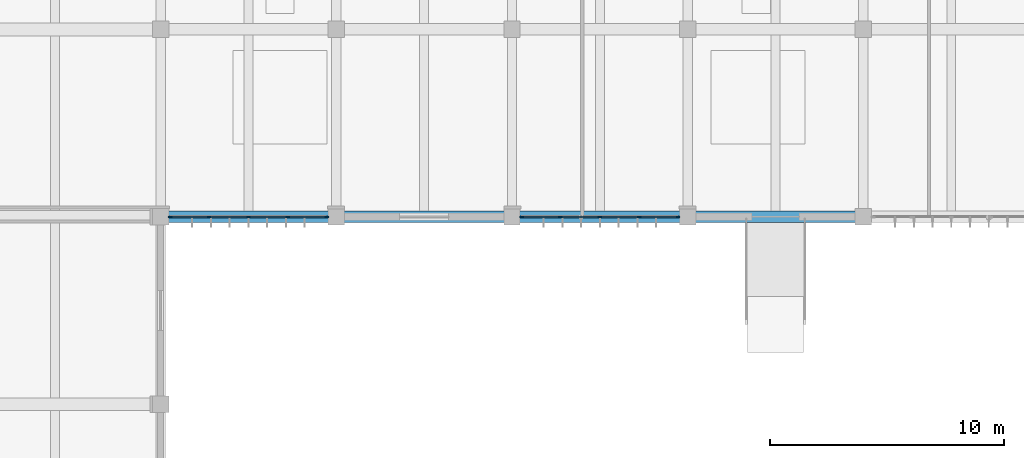
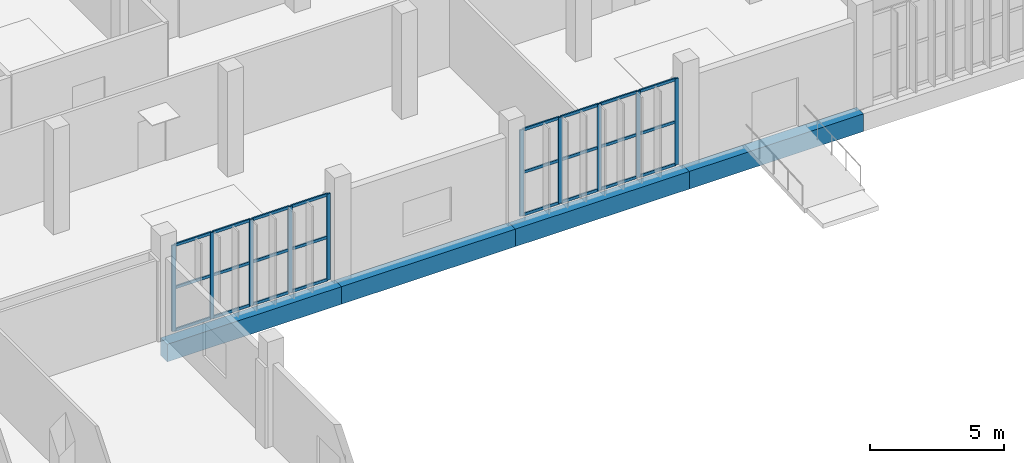
# One storey, part 12 of 72: 34 members, 4 beams, 2 elements without a shape of their own.
"""IFC4 building model written with IfcOpenShell, lengths in metres."""

import ifcopenshell
import ifcopenshell.guid

model = None  # the IFC model being written
_history = None  # IfcOwnerHistory: only IFC2X3 demands one
_inside = {}  # id of a spatial element -> (the spatial element, [elements in it])
_under = {}  # id of a project, library or spatial element -> (it, [spatial elements below it])
_declared = {}  # id of a project -> (the project, [libraries it declares])
_typed = {}  # id of a type object -> (the type object, [elements of that type])
_made_of = {}  # id of a material, layer set ... -> (it, [elements and type objects made of it])


def new_model(schema):
    """Start an empty IFC model of exactly this schema.

    Asked for "IFC4X3", IfcOpenShell would pick the latest addendum, in which some entities
    have other attributes; the version numbers below select the first issue.
    IFC2X3 requires an IfcOwnerHistory on every rooted entity: one is made here for all.
    """
    global model, _history
    if schema == "IFC4X3":
        model = ifcopenshell.file(schema_version=(4, 3, 0, 0))
    else:
        model = ifcopenshell.file(schema=schema)
    _inside.clear()
    _under.clear()
    _declared.clear()
    _typed.clear()
    _made_of.clear()
    _history = None
    if model.schema == "IFC2X3":
        org = make("IfcOrganization", Name="unknown")
        user = make(
            "IfcPersonAndOrganization",
            ThePerson=make("IfcPerson", FamilyName="unknown"),
            TheOrganization=org,
        )
        app = make(
            "IfcApplication",
            ApplicationDeveloper=org,
            Version="unknown",
            ApplicationFullName="unknown",
            ApplicationIdentifier="unknown",
        )
        _history = make(
            "IfcOwnerHistory",
            OwningUser=user,
            OwningApplication=app,
            ChangeAction="ADDED",
            CreationDate=0,
        )
    return model


def make(cls, **values):
    """One entity of the class cls with the attributes given. An attribute that is None is left unset."""
    return model.create_entity(
        cls, **{name: value for name, value in values.items() if value is not None}
    )


def rooted(cls, **values):
    """An entity with a GlobalId (a new one), such as an element, a storey or a relation."""
    return make(cls, GlobalId=ifcopenshell.guid.new(), OwnerHistory=_history, **values)


def si_unit(unit_type, name, prefix=None):
    """IfcSIUnit, for example si_unit("LENGTHUNIT", "METRE", prefix="MILLI")."""
    return make("IfcSIUnit", UnitType=unit_type, Prefix=prefix, Name=name)


def assignment(units):
    """IfcUnitAssignment: the units of a project."""
    return None if units is None else make("IfcUnitAssignment", Units=units)


def point(xyz):
    """IfcCartesianPoint."""
    return None if xyz is None else make("IfcCartesianPoint", Coordinates=xyz)


def direction(xyz):
    """IfcDirection."""
    return None if xyz is None else make("IfcDirection", DirectionRatios=xyz)


def frame(location, z_axis=None, x_axis=None):
    """IfcAxis2Placement3D, a coordinate frame: its origin and axes. An axis left out is left unset."""
    return make(
        "IfcAxis2Placement3D",
        Location=point(location),
        Axis=direction(z_axis),
        RefDirection=direction(x_axis),
    )


def frame_2d(location, x_axis=None):
    """IfcAxis2Placement2D, a coordinate frame in the plane: its origin and x axis."""
    return make(
        "IfcAxis2Placement2D", Location=point(location), RefDirection=direction(x_axis)
    )


def origin():
    """The frame at (0, 0, 0) with its axes left unset."""
    return frame((0.0, 0.0, 0.0))


def origin_2d():
    """The frame at (0, 0) in the plane with its x axis left unset."""
    return frame_2d((0.0, 0.0))


def place(relative_to, where):
    """IfcLocalPlacement: puts the frame where relative to a parent placement (None: the world)."""
    return make(
        "IfcLocalPlacement", PlacementRelTo=relative_to, RelativePlacement=where
    )


def context(
    kind, dimensions, precision=None, world=None, true_north=None, identifier=None
):
    """IfcGeometricRepresentationContext, for example the 3D "Model" context."""
    return make(
        "IfcGeometricRepresentationContext",
        ContextIdentifier=identifier,
        ContextType=kind,
        CoordinateSpaceDimension=dimensions,
        Precision=precision,
        WorldCoordinateSystem=world,
        TrueNorth=true_north,
    )


def subcontext(parent, identifier, kind, view, scale=None):
    """IfcGeometricRepresentationSubContext, for example "Body" below "Model"."""
    return make(
        "IfcGeometricRepresentationSubContext",
        ContextIdentifier=identifier,
        ContextType=kind,
        ParentContext=parent,
        TargetScale=scale,
        TargetView=view,
    )


def project(units=None, contexts=None):
    """IfcProject with its units and contexts."""
    return rooted(
        "IfcProject",
        Name="project",
        RepresentationContexts=contexts,
        UnitsInContext=assignment(units),
    )


def spatial(cls, under=None, at=None, **own):
    """A site, building, storey or space (cls), placed at a placement, below another one or the project."""
    s = rooted(cls, ObjectPlacement=at, **own)
    if under is not None:
        _under.setdefault(under.id(), (under, []))[1].append(s)
    return s


def profile(cls, at=None, kind="AREA", **sizes):
    """A parametric profile (cls). Its sizes go by their IFC names, for example OverallWidth=200.0."""
    return make(cls, ProfileType=kind, Position=at, **sizes)


def rectangle(**sizes):
    """IfcRectangleProfileDef."""
    return profile("IfcRectangleProfileDef", **sizes)


def extrude(swept, where, along, depth):
    """IfcExtrudedAreaSolid: the profile swept, set in the frame where, extruded along a direction by depth."""
    return make(
        "IfcExtrudedAreaSolid",
        SweptArea=swept,
        Position=where,
        ExtrudedDirection=direction(along),
        Depth=depth,
    )


def shape(context_of_items, identifier, shape_type, items):
    """IfcShapeRepresentation: the items that make up one representation, for example the "Body"."""
    return make(
        "IfcShapeRepresentation",
        ContextOfItems=context_of_items,
        RepresentationIdentifier=identifier,
        RepresentationType=shape_type,
        Items=items,
    )


def material(Name=None, Category=None):
    """IfcMaterial."""
    return make("IfcMaterial", Name=Name, Category=Category)


def material_profile(
    of_material, cross_section, Name=None, Category=None, Priority=None
):
    """IfcMaterialProfile: a cross section and its material."""
    return make(
        "IfcMaterialProfile",
        Name=Name,
        Material=of_material,
        Profile=cross_section,
        Priority=Priority,
        Category=Category,
    )


def profile_set(profiles, Name=None, composite=None):
    """IfcMaterialProfileSet."""
    return make(
        "IfcMaterialProfileSet",
        Name=Name,
        MaterialProfiles=profiles,
        CompositeProfile=composite,
    )


def made_of(thing, what):
    """Note that an element or type object is made of a material, layer set ...; save() writes the relation."""
    if what is not None:
        _made_of.setdefault(what.id(), (what, []))[1].append(thing)
    return thing


def type_object(cls, material=None, **own):
    """A type object (cls), such as IfcWallType, which elements share."""
    return made_of(rooted(cls, **own), material)


def element(
    cls,
    number,
    at=None,
    inside=None,
    cuts=None,
    type_object=None,
    material=None,
    context=None,
    identifier="Body",
    shape_type=None,
    held_by="IfcProductDefinitionShape",
    body=None,
    shapes=None,
    **own,
):
    """One element of the class cls, such as IfcWall. Its Tag is "e" and its number.

    at: its placement. inside: the storey or other place that contains it. cuts: it is an
    opening in that element (IfcRelVoidsElement). A single representation is given by context,
    identifier, shape_type and body (its items); several are given by shapes. held_by: the class
    of the entity that holds the representations. save() writes the other relations.
    """
    e = rooted(cls, Tag="e%d" % number, ObjectPlacement=at, **own)
    if body is not None:
        shapes = [shape(context, identifier, shape_type, body)]
    if shapes is not None:
        e.Representation = make(held_by, Representations=shapes)
    if inside is not None:
        _inside.setdefault(inside.id(), (inside, []))[1].append(e)
    if cuts is not None:
        rooted(
            "IfcRelVoidsElement", RelatingBuildingElement=cuts, RelatedOpeningElement=e
        )
    if type_object is not None:
        _typed.setdefault(type_object.id(), (type_object, []))[1].append(e)
    return made_of(e, material)


def aggregate(whole, parts):
    """IfcRelAggregates: a whole, such as a stair, and the parts it consists of."""
    return rooted("IfcRelAggregates", RelatingObject=whole, RelatedObjects=parts)


def save(model, path):
    """Write the relations noted so far, then the file.

    IfcRelAggregates (storeys below a building ...), IfcRelContainedInSpatialStructure (elements
    in a storey), IfcRelDefinesByType, IfcRelAssociatesMaterial and IfcRelDeclares: one each for
    every whole, place, type object, material and project.
    """
    for whole, parts in _under.values():
        aggregate(whole, parts)
    for where, things in _inside.values():
        rooted(
            "IfcRelContainedInSpatialStructure",
            RelatedElements=things,
            RelatingStructure=where,
        )
    for kind, things in _typed.values():
        rooted("IfcRelDefinesByType", RelatedObjects=things, RelatingType=kind)
    for what, things in _made_of.values():
        rooted("IfcRelAssociatesMaterial", RelatedObjects=things, RelatingMaterial=what)
    for by, libraries in _declared.values():
        rooted("IfcRelDeclares", RelatingContext=by, RelatedDefinitions=libraries)
    model.write(path)


model = new_model("IFC4")

# Units and contexts
model_context = context("Model", 3, precision=1e-05, world=origin(), true_north=direction((0.0, 1.0)))
body_context = subcontext(model_context, "Body", "Model", "MODEL_VIEW")
ifc_project = project(units=[si_unit("LENGTHUNIT", "METRE"), si_unit("AREAUNIT", "SQUARE_METRE"), si_unit("VOLUMEUNIT", "CUBIC_METRE"), si_unit("PLANEANGLEUNIT", "RADIAN"), si_unit("MASSUNIT", "GRAM", prefix="KILO")], contexts=[model_context])

# Site, building, storey
site_placement = place(None, origin())
site = spatial("IfcSite", under=ifc_project, at=site_placement, CompositionType="ELEMENT")
building_placement = place(site_placement, origin())
building = spatial("IfcBuilding", under=site, at=building_placement, Name="Vourika Railside Aquatics Centre", CompositionType="ELEMENT")
storey_placement = place(building_placement, origin())
storey = spatial("IfcBuildingStorey", under=building, at=storey_placement, Name="L00", CompositionType="ELEMENT", Elevation=0.0)

# Beams
ifc_material_1 = material(Name="Concrete C40/50", Category="concrete")
ifc_material_profile_1 = material_profile(ifc_material_1, rectangle(XDim=0.5, YDim=0.800048828125, at=origin_2d()), Name="RC 500x800")
ifc_profile_set_1 = profile_set([ifc_material_profile_1], Name="Concrete C40/50")
beam_type = type_object("IfcBeamType", Name="BM-TIE-500x800", PredefinedType="BEAM", material=ifc_profile_set_1)
for number, where, z_axis, x_axis, name in (
    (1, (36.0, 92.0, -0.719970703125), (1.0, 0.0, 0.0), (0.0, 1.0, 0.0), "Floor Beam GX-L00-126"),
    (2, (43.5, 92.0, -0.719970703125), (1.0, 0.0, 0.0), (0.0, 1.0, 0.0), "Floor Beam GX-L00-127"),
    (3, (51.0, 92.0, -0.719970703125), (1.0, 0.0, 0.0), (0.0, 1.0, 0.0), "Floor Beam GX-L00-128"),
    (4, (58.5, 92.0, -0.719970703125), (1.0, 0.0, 0.0), (0.0, 1.0, 0.0), "Floor Beam GX-L00-129"),
):
    element("IfcBeam", number, at=place(storey_placement, frame(where, z_axis=z_axis, x_axis=x_axis)), inside=storey, type_object=beam_type, Name=name, PredefinedType="BEAM", context=body_context, shape_type="SweptSolid", body=[
        extrude(rectangle(XDim=0.5, YDim=0.800048828125, at=origin_2d()), origin(), (0.0, 0.0, 1.0), 7.5),
    ])

# Curtain wall, members
ifc_material_2 = material(Name="Anodized thermally broken aluminium", Category="aluminium")
curtain_wall_type = type_object("IfcCurtainWallType", Name="CW-FIT0", PredefinedType="NOTDEFINED", material=ifc_material_2)
curtain_wall_1_placement = place(storey_placement, origin())
curtain_wall_1 = element("IfcCurtainWall", 5, at=curtain_wall_1_placement, inside=storey, type_object=curtain_wall_type, Name="Courtyard Fitness Curtain Wall L00-1", PredefinedType="NOTDEFINED")
ifc_material_3 = material(Name="Anodized aluminium mullion", Category="aluminium")
ifc_material_profile_2 = material_profile(ifc_material_3, rectangle(XDim=0.06494140625, YDim=0.1640625, at=origin_2d()), Name="ALU-M 65x164")
ifc_profile_set_2 = profile_set([ifc_material_profile_2], Name="Anodized aluminium mullion")
member_type_1 = type_object("IfcMemberType", Name="CWM-FIT0", PredefinedType="MULLION", material=ifc_profile_set_2)
member_1_placement = place(storey_placement, frame((36.41259765625, 92.0, 0.0), z_axis=(0.0, 0.0, 1.0), x_axis=(0.0, 1.0, 0.0)))
member_1 = element("IfcMember", 6, at=member_1_placement, type_object=member_type_1, Name="CW14 mullion 1", PredefinedType="MULLION", context=body_context, shape_type="SweptSolid", body=[
    extrude(rectangle(XDim=0.06494140625, YDim=0.1640625, at=origin_2d()), origin(), (0.0, 0.0, 1.0), 3.929931640625),
])
member_2_placement = place(storey_placement, frame((38.06494140625, 92.0, 0.0), z_axis=(0.0, 0.0, 1.0), x_axis=(0.0, 1.0, 0.0)))
member_2 = element("IfcMember", 7, at=member_2_placement, type_object=member_type_1, Name="CW14 mullion 2", PredefinedType="MULLION", context=body_context, shape_type="SweptSolid", body=[
    extrude(rectangle(XDim=0.06494140625, YDim=0.1640625, at=origin_2d()), origin(), (0.0, 0.0, 1.0), 3.929931640625),
])
member_3_placement = place(storey_placement, frame((39.75, 92.0, 0.0), z_axis=(0.0, 0.0, 1.0), x_axis=(0.0, 1.0, 0.0)))
member_3 = element("IfcMember", 8, at=member_3_placement, type_object=member_type_1, Name="CW14 mullion 3", PredefinedType="MULLION", context=body_context, shape_type="SweptSolid", body=[
    extrude(rectangle(XDim=0.06494140625, YDim=0.1640625, at=origin_2d()), origin(), (0.0, 0.0, 1.0), 3.929931640625),
])
member_4_placement = place(storey_placement, frame((41.43505859375, 92.0, 0.0), z_axis=(0.0, 0.0, 1.0), x_axis=(0.0, 1.0, 0.0)))
member_4 = element("IfcMember", 9, at=member_4_placement, type_object=member_type_1, Name="CW14 mullion 4", PredefinedType="MULLION", context=body_context, shape_type="SweptSolid", body=[
    extrude(rectangle(XDim=0.06494140625, YDim=0.1640625, at=origin_2d()), origin(), (0.0, 0.0, 1.0), 3.929931640625),
])
member_5_placement = place(storey_placement, frame((43.08740234375, 92.0, 0.0), z_axis=(0.0, 0.0, 1.0), x_axis=(0.0, 1.0, 0.0)))
member_5 = element("IfcMember", 10, at=member_5_placement, type_object=member_type_1, Name="CW14 mullion 5", PredefinedType="MULLION", context=body_context, shape_type="SweptSolid", body=[
    extrude(rectangle(XDim=0.06494140625, YDim=0.1640625, at=origin_2d()), origin(), (0.0, 0.0, 1.0), 3.929931640625),
])

curtain_wall_2_placement = place(storey_placement, origin())
curtain_wall_2 = element("IfcCurtainWall", 11, at=curtain_wall_2_placement, inside=storey, type_object=curtain_wall_type, Name="Courtyard Fitness Curtain Wall L00-3", PredefinedType="NOTDEFINED")
member_6_placement = place(storey_placement, frame((51.41259765625, 92.0, 0.0), z_axis=(0.0, 0.0, 1.0), x_axis=(0.0, 1.0, 0.0)))
member_6 = element("IfcMember", 12, at=member_6_placement, type_object=member_type_1, Name="CW14 mullion 1", PredefinedType="MULLION", context=body_context, shape_type="SweptSolid", body=[
    extrude(rectangle(XDim=0.06494140625, YDim=0.1640625, at=origin_2d()), origin(), (0.0, 0.0, 1.0), 3.929931640625),
])
member_7_placement = place(storey_placement, frame((53.06494140625, 92.0, 0.0), z_axis=(0.0, 0.0, 1.0), x_axis=(0.0, 1.0, 0.0)))
member_7 = element("IfcMember", 13, at=member_7_placement, type_object=member_type_1, Name="CW14 mullion 2", PredefinedType="MULLION", context=body_context, shape_type="SweptSolid", body=[
    extrude(rectangle(XDim=0.06494140625, YDim=0.1640625, at=origin_2d()), origin(), (0.0, 0.0, 1.0), 3.929931640625),
])
member_8_placement = place(storey_placement, frame((54.75, 92.0, 0.0), z_axis=(0.0, 0.0, 1.0), x_axis=(0.0, 1.0, 0.0)))
member_8 = element("IfcMember", 14, at=member_8_placement, type_object=member_type_1, Name="CW14 mullion 3", PredefinedType="MULLION", context=body_context, shape_type="SweptSolid", body=[
    extrude(rectangle(XDim=0.06494140625, YDim=0.1640625, at=origin_2d()), origin(), (0.0, 0.0, 1.0), 3.929931640625),
])
member_9_placement = place(storey_placement, frame((56.43505859375, 92.0, 0.0), z_axis=(0.0, 0.0, 1.0), x_axis=(0.0, 1.0, 0.0)))
member_9 = element("IfcMember", 15, at=member_9_placement, type_object=member_type_1, Name="CW14 mullion 4", PredefinedType="MULLION", context=body_context, shape_type="SweptSolid", body=[
    extrude(rectangle(XDim=0.06494140625, YDim=0.1640625, at=origin_2d()), origin(), (0.0, 0.0, 1.0), 3.929931640625),
])
member_10_placement = place(storey_placement, frame((58.08740234375, 92.0, 0.0), z_axis=(0.0, 0.0, 1.0), x_axis=(0.0, 1.0, 0.0)))
member_10 = element("IfcMember", 16, at=member_10_placement, type_object=member_type_1, Name="CW14 mullion 5", PredefinedType="MULLION", context=body_context, shape_type="SweptSolid", body=[
    extrude(rectangle(XDim=0.06494140625, YDim=0.1640625, at=origin_2d()), origin(), (0.0, 0.0, 1.0), 3.929931640625),
])

# Member
ifc_material_4 = material(Name="Anodized aluminium transom", Category="aluminium")
ifc_material_profile_3 = material_profile(ifc_material_4, rectangle(XDim=0.06494140625, YDim=0.1279296875, at=origin_2d()), Name="ALU-T 65x128")
ifc_profile_set_3 = profile_set([ifc_material_profile_3], Name="Anodized aluminium transom")
member_type_2 = type_object("IfcMemberType", Name="CWT-FIT0", PredefinedType="USERDEFINED", material=ifc_profile_set_3)
member_11_placement = place(storey_placement, frame((36.445068359375, 92.0, 0.032470703125), z_axis=(1.0, 0.0, 0.0), x_axis=(0.0, 1.0, 0.0)))
member_11 = element("IfcMember", 17, at=member_11_placement, type_object=member_type_2, Name="CW14 transom 1.1", ObjectType="TRANSOM", PredefinedType="USERDEFINED", context=body_context, shape_type="SweptSolid", body=[
    extrude(rectangle(XDim=0.06494140625, YDim=0.1279296875, at=origin_2d()), origin(), (0.0, 0.0, 1.0), 1.58740234375),
])

member_12_placement = place(storey_placement, frame((36.445068359375, 92.0, 1.965087890625), z_axis=(1.0, 0.0, 0.0), x_axis=(0.0, 1.0, 0.0)))
member_12 = element("IfcMember", 18, at=member_12_placement, type_object=member_type_2, Name="CW14 transom 1.2", ObjectType="TRANSOM", PredefinedType="USERDEFINED", context=body_context, shape_type="SweptSolid", body=[
    extrude(rectangle(XDim=0.06494140625, YDim=0.1279296875, at=origin_2d()), origin(), (0.0, 0.0, 1.0), 1.58740234375),
])

member_13_placement = place(storey_placement, frame((36.445068359375, 92.0, 3.8974609375), z_axis=(1.0, 0.0, 0.0), x_axis=(0.0, 1.0, 0.0)))
member_13 = element("IfcMember", 19, at=member_13_placement, type_object=member_type_2, Name="CW14 transom 1.3", ObjectType="TRANSOM", PredefinedType="USERDEFINED", context=body_context, shape_type="SweptSolid", body=[
    extrude(rectangle(XDim=0.06494140625, YDim=0.1279296875, at=origin_2d()), origin(), (0.0, 0.0, 1.0), 1.58740234375),
])

member_14_placement = place(storey_placement, frame((38.097412109375, 92.0, 0.032470703125), z_axis=(1.0, 0.0, 0.0), x_axis=(0.0, 1.0, 0.0)))
member_14 = element("IfcMember", 20, at=member_14_placement, type_object=member_type_2, Name="CW14 transom 2.1", ObjectType="TRANSOM", PredefinedType="USERDEFINED", context=body_context, shape_type="SweptSolid", body=[
    extrude(rectangle(XDim=0.06494140625, YDim=0.1279296875, at=origin_2d()), origin(), (0.0, 0.0, 1.0), 1.6201171875),
])

member_15_placement = place(storey_placement, frame((38.097412109375, 92.0, 1.965087890625), z_axis=(1.0, 0.0, 0.0), x_axis=(0.0, 1.0, 0.0)))
member_15 = element("IfcMember", 21, at=member_15_placement, type_object=member_type_2, Name="CW14 transom 2.2", ObjectType="TRANSOM", PredefinedType="USERDEFINED", context=body_context, shape_type="SweptSolid", body=[
    extrude(rectangle(XDim=0.06494140625, YDim=0.1279296875, at=origin_2d()), origin(), (0.0, 0.0, 1.0), 1.6201171875),
])

member_16_placement = place(storey_placement, frame((38.097412109375, 92.0, 3.8974609375), z_axis=(1.0, 0.0, 0.0), x_axis=(0.0, 1.0, 0.0)))
member_16 = element("IfcMember", 22, at=member_16_placement, type_object=member_type_2, Name="CW14 transom 2.3", ObjectType="TRANSOM", PredefinedType="USERDEFINED", context=body_context, shape_type="SweptSolid", body=[
    extrude(rectangle(XDim=0.06494140625, YDim=0.1279296875, at=origin_2d()), origin(), (0.0, 0.0, 1.0), 1.6201171875),
])

member_17_placement = place(storey_placement, frame((39.782470703125, 92.0, 0.032470703125), z_axis=(1.0, 0.0, 0.0), x_axis=(0.0, 1.0, 0.0)))
member_17 = element("IfcMember", 23, at=member_17_placement, type_object=member_type_2, Name="CW14 transom 3.1", ObjectType="TRANSOM", PredefinedType="USERDEFINED", context=body_context, shape_type="SweptSolid", body=[
    extrude(rectangle(XDim=0.06494140625, YDim=0.1279296875, at=origin_2d()), origin(), (0.0, 0.0, 1.0), 1.6201171875),
])

member_18_placement = place(storey_placement, frame((39.782470703125, 92.0, 1.965087890625), z_axis=(1.0, 0.0, 0.0), x_axis=(0.0, 1.0, 0.0)))
member_18 = element("IfcMember", 24, at=member_18_placement, type_object=member_type_2, Name="CW14 transom 3.2", ObjectType="TRANSOM", PredefinedType="USERDEFINED", context=body_context, shape_type="SweptSolid", body=[
    extrude(rectangle(XDim=0.06494140625, YDim=0.1279296875, at=origin_2d()), origin(), (0.0, 0.0, 1.0), 1.6201171875),
])

member_19_placement = place(storey_placement, frame((39.782470703125, 92.0, 3.8974609375), z_axis=(1.0, 0.0, 0.0), x_axis=(0.0, 1.0, 0.0)))
member_19 = element("IfcMember", 25, at=member_19_placement, type_object=member_type_2, Name="CW14 transom 3.3", ObjectType="TRANSOM", PredefinedType="USERDEFINED", context=body_context, shape_type="SweptSolid", body=[
    extrude(rectangle(XDim=0.06494140625, YDim=0.1279296875, at=origin_2d()), origin(), (0.0, 0.0, 1.0), 1.6201171875),
])

member_20_placement = place(storey_placement, frame((41.467529296875, 92.0, 0.032470703125), z_axis=(1.0, 0.0, 0.0), x_axis=(0.0, 1.0, 0.0)))
member_20 = element("IfcMember", 26, at=member_20_placement, type_object=member_type_2, Name="CW14 transom 4.1", ObjectType="TRANSOM", PredefinedType="USERDEFINED", context=body_context, shape_type="SweptSolid", body=[
    extrude(rectangle(XDim=0.06494140625, YDim=0.1279296875, at=origin_2d()), origin(), (0.0, 0.0, 1.0), 1.58740234375),
])

member_21_placement = place(storey_placement, frame((41.467529296875, 92.0, 1.965087890625), z_axis=(1.0, 0.0, 0.0), x_axis=(0.0, 1.0, 0.0)))
member_21 = element("IfcMember", 27, at=member_21_placement, type_object=member_type_2, Name="CW14 transom 4.2", ObjectType="TRANSOM", PredefinedType="USERDEFINED", context=body_context, shape_type="SweptSolid", body=[
    extrude(rectangle(XDim=0.06494140625, YDim=0.1279296875, at=origin_2d()), origin(), (0.0, 0.0, 1.0), 1.58740234375),
])

member_22_placement = place(storey_placement, frame((41.467529296875, 92.0, 3.8974609375), z_axis=(1.0, 0.0, 0.0), x_axis=(0.0, 1.0, 0.0)))
member_22 = element("IfcMember", 28, at=member_22_placement, type_object=member_type_2, Name="CW14 transom 4.3", ObjectType="TRANSOM", PredefinedType="USERDEFINED", context=body_context, shape_type="SweptSolid", body=[
    extrude(rectangle(XDim=0.06494140625, YDim=0.1279296875, at=origin_2d()), origin(), (0.0, 0.0, 1.0), 1.58740234375),
])

aggregate(curtain_wall_1, [member_1, member_2, member_3, member_4, member_5, member_11, member_12, member_13, member_14, member_15, member_16, member_17, member_18, member_19, member_20, member_21, member_22])

member_23_placement = place(storey_placement, frame((51.445068359375, 92.0, 0.032470703125), z_axis=(1.0, 0.0, 0.0), x_axis=(0.0, 1.0, 0.0)))
member_23 = element("IfcMember", 29, at=member_23_placement, type_object=member_type_2, Name="CW14 transom 1.1", ObjectType="TRANSOM", PredefinedType="USERDEFINED", context=body_context, shape_type="SweptSolid", body=[
    extrude(rectangle(XDim=0.06494140625, YDim=0.1279296875, at=origin_2d()), origin(), (0.0, 0.0, 1.0), 1.58740234375),
])

member_24_placement = place(storey_placement, frame((51.445068359375, 92.0, 1.965087890625), z_axis=(1.0, 0.0, 0.0), x_axis=(0.0, 1.0, 0.0)))
member_24 = element("IfcMember", 30, at=member_24_placement, type_object=member_type_2, Name="CW14 transom 1.2", ObjectType="TRANSOM", PredefinedType="USERDEFINED", context=body_context, shape_type="SweptSolid", body=[
    extrude(rectangle(XDim=0.06494140625, YDim=0.1279296875, at=origin_2d()), origin(), (0.0, 0.0, 1.0), 1.58740234375),
])

member_25_placement = place(storey_placement, frame((51.445068359375, 92.0, 3.8974609375), z_axis=(1.0, 0.0, 0.0), x_axis=(0.0, 1.0, 0.0)))
member_25 = element("IfcMember", 31, at=member_25_placement, type_object=member_type_2, Name="CW14 transom 1.3", ObjectType="TRANSOM", PredefinedType="USERDEFINED", context=body_context, shape_type="SweptSolid", body=[
    extrude(rectangle(XDim=0.06494140625, YDim=0.1279296875, at=origin_2d()), origin(), (0.0, 0.0, 1.0), 1.58740234375),
])

member_26_placement = place(storey_placement, frame((53.097412109375, 92.0, 0.032470703125), z_axis=(1.0, 0.0, 0.0), x_axis=(0.0, 1.0, 0.0)))
member_26 = element("IfcMember", 32, at=member_26_placement, type_object=member_type_2, Name="CW14 transom 2.1", ObjectType="TRANSOM", PredefinedType="USERDEFINED", context=body_context, shape_type="SweptSolid", body=[
    extrude(rectangle(XDim=0.06494140625, YDim=0.1279296875, at=origin_2d()), origin(), (0.0, 0.0, 1.0), 1.6201171875),
])

member_27_placement = place(storey_placement, frame((53.097412109375, 92.0, 1.965087890625), z_axis=(1.0, 0.0, 0.0), x_axis=(0.0, 1.0, 0.0)))
member_27 = element("IfcMember", 33, at=member_27_placement, type_object=member_type_2, Name="CW14 transom 2.2", ObjectType="TRANSOM", PredefinedType="USERDEFINED", context=body_context, shape_type="SweptSolid", body=[
    extrude(rectangle(XDim=0.06494140625, YDim=0.1279296875, at=origin_2d()), origin(), (0.0, 0.0, 1.0), 1.6201171875),
])

member_28_placement = place(storey_placement, frame((53.097412109375, 92.0, 3.8974609375), z_axis=(1.0, 0.0, 0.0), x_axis=(0.0, 1.0, 0.0)))
member_28 = element("IfcMember", 34, at=member_28_placement, type_object=member_type_2, Name="CW14 transom 2.3", ObjectType="TRANSOM", PredefinedType="USERDEFINED", context=body_context, shape_type="SweptSolid", body=[
    extrude(rectangle(XDim=0.06494140625, YDim=0.1279296875, at=origin_2d()), origin(), (0.0, 0.0, 1.0), 1.6201171875),
])

member_29_placement = place(storey_placement, frame((54.782470703125, 92.0, 0.032470703125), z_axis=(1.0, 0.0, 0.0), x_axis=(0.0, 1.0, 0.0)))
member_29 = element("IfcMember", 35, at=member_29_placement, type_object=member_type_2, Name="CW14 transom 3.1", ObjectType="TRANSOM", PredefinedType="USERDEFINED", context=body_context, shape_type="SweptSolid", body=[
    extrude(rectangle(XDim=0.06494140625, YDim=0.1279296875, at=origin_2d()), origin(), (0.0, 0.0, 1.0), 1.6201171875),
])

member_30_placement = place(storey_placement, frame((54.782470703125, 92.0, 1.965087890625), z_axis=(1.0, 0.0, 0.0), x_axis=(0.0, 1.0, 0.0)))
member_30 = element("IfcMember", 36, at=member_30_placement, type_object=member_type_2, Name="CW14 transom 3.2", ObjectType="TRANSOM", PredefinedType="USERDEFINED", context=body_context, shape_type="SweptSolid", body=[
    extrude(rectangle(XDim=0.06494140625, YDim=0.1279296875, at=origin_2d()), origin(), (0.0, 0.0, 1.0), 1.6201171875),
])

member_31_placement = place(storey_placement, frame((54.782470703125, 92.0, 3.8974609375), z_axis=(1.0, 0.0, 0.0), x_axis=(0.0, 1.0, 0.0)))
member_31 = element("IfcMember", 37, at=member_31_placement, type_object=member_type_2, Name="CW14 transom 3.3", ObjectType="TRANSOM", PredefinedType="USERDEFINED", context=body_context, shape_type="SweptSolid", body=[
    extrude(rectangle(XDim=0.06494140625, YDim=0.1279296875, at=origin_2d()), origin(), (0.0, 0.0, 1.0), 1.6201171875),
])

member_32_placement = place(storey_placement, frame((56.467529296875, 92.0, 0.032470703125), z_axis=(1.0, 0.0, 0.0), x_axis=(0.0, 1.0, 0.0)))
member_32 = element("IfcMember", 38, at=member_32_placement, type_object=member_type_2, Name="CW14 transom 4.1", ObjectType="TRANSOM", PredefinedType="USERDEFINED", context=body_context, shape_type="SweptSolid", body=[
    extrude(rectangle(XDim=0.06494140625, YDim=0.1279296875, at=origin_2d()), origin(), (0.0, 0.0, 1.0), 1.58740234375),
])

member_33_placement = place(storey_placement, frame((56.467529296875, 92.0, 1.965087890625), z_axis=(1.0, 0.0, 0.0), x_axis=(0.0, 1.0, 0.0)))
member_33 = element("IfcMember", 39, at=member_33_placement, type_object=member_type_2, Name="CW14 transom 4.2", ObjectType="TRANSOM", PredefinedType="USERDEFINED", context=body_context, shape_type="SweptSolid", body=[
    extrude(rectangle(XDim=0.06494140625, YDim=0.1279296875, at=origin_2d()), origin(), (0.0, 0.0, 1.0), 1.58740234375),
])

member_34_placement = place(storey_placement, frame((56.467529296875, 92.0, 3.8974609375), z_axis=(1.0, 0.0, 0.0), x_axis=(0.0, 1.0, 0.0)))
member_34 = element("IfcMember", 40, at=member_34_placement, type_object=member_type_2, Name="CW14 transom 4.3", ObjectType="TRANSOM", PredefinedType="USERDEFINED", context=body_context, shape_type="SweptSolid", body=[
    extrude(rectangle(XDim=0.06494140625, YDim=0.1279296875, at=origin_2d()), origin(), (0.0, 0.0, 1.0), 1.58740234375),
])

aggregate(curtain_wall_2, [member_6, member_7, member_8, member_9, member_10, member_23, member_24, member_25, member_26, member_27, member_28, member_29, member_30, member_31, member_32, member_33, member_34])

save(model, "model.ifc")
